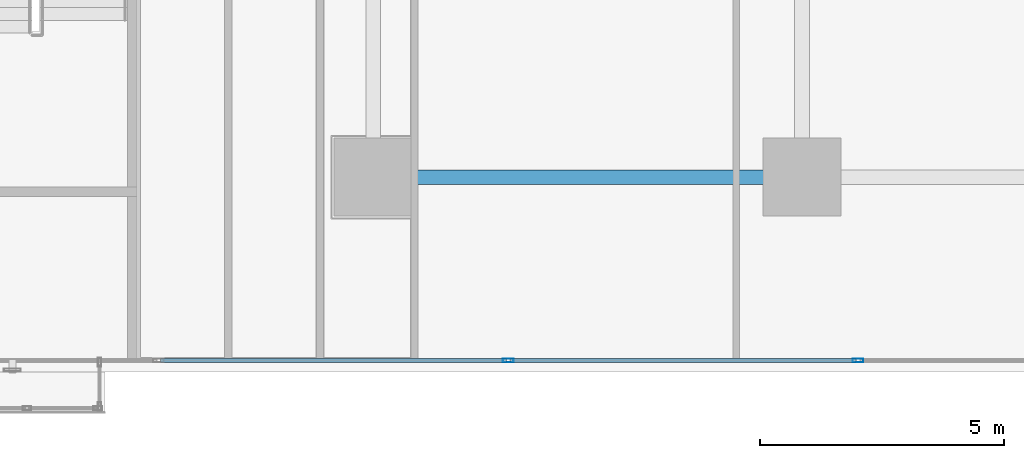
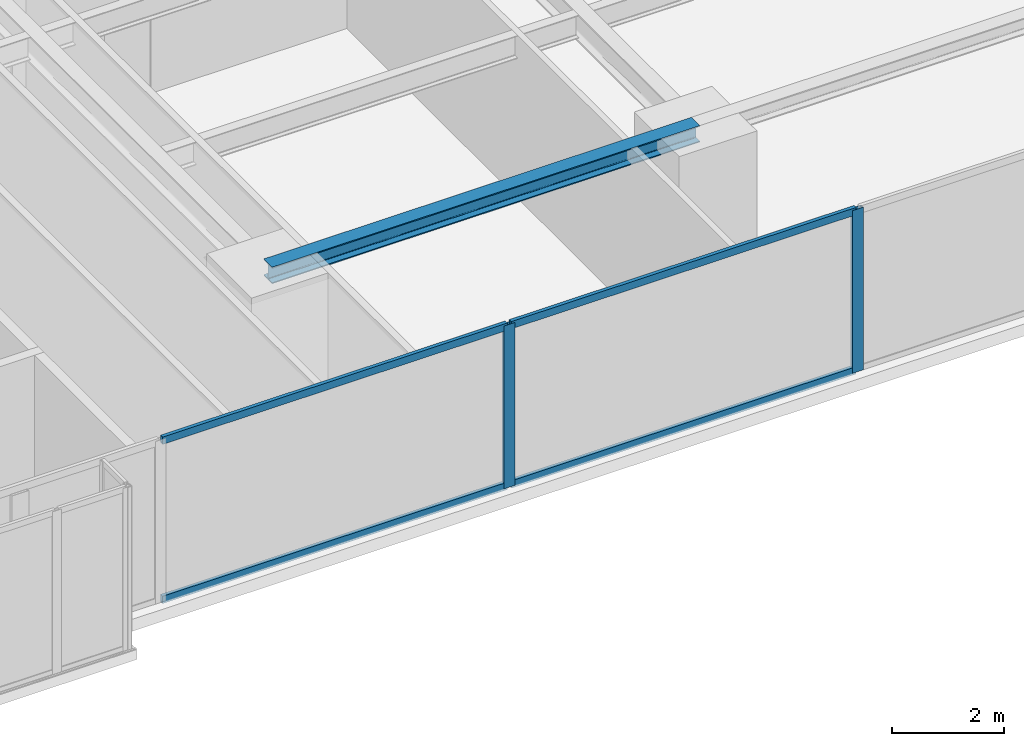
# One storey, part 9 of 27: 6 members, 1 beam, 1 element without a shape of its own.
"""IFC4 building model written with IfcOpenShell, lengths in metres."""

from ifc_helpers import new_model, si_unit, direction, frame, origin, origin_with_axes, origin_2d, place, context, subcontext, project, spatial, hollow_rectangle, i_section, extrude, source, transform, mapped, material, layer, layer_set, material_profile, profile_set, type_object, element, aggregate, save


model = new_model("IFC4")

# Units and contexts
model_context = context("Model", 3, precision=1e-05, world=origin(), true_north=direction((0.0, 1.0)))
body_context = subcontext(model_context, "Body", "Model", "MODEL_VIEW")
ifc_project = project(units=[si_unit("LENGTHUNIT", "METRE"), si_unit("AREAUNIT", "SQUARE_METRE"), si_unit("VOLUMEUNIT", "CUBIC_METRE"), si_unit("PLANEANGLEUNIT", "RADIAN"), si_unit("MASSUNIT", "GRAM", prefix="KILO")], contexts=[model_context])

# Site, building, storey
site_placement = place(None, origin())
site = spatial("IfcSite", under=ifc_project, at=site_placement, CompositionType="ELEMENT")
building_placement = place(site_placement, origin())
building = spatial("IfcBuilding", under=site, at=building_placement, Name="Kolvaren Waterfront Exchange", CompositionType="ELEMENT")
storey_placement = place(building_placement, frame((0.0, 0.0, 33.39990234375)))
storey = spatial("IfcBuildingStorey", under=building, at=storey_placement, Name="L08", CompositionType="ELEMENT", Elevation=33.39990234375)

# Beam
ifc_material_1 = material(Name="Steel S355", Category="steel")
ifc_material_profile_1 = material_profile(ifc_material_1, i_section(OverallWidth=0.300048828125, OverallDepth=0.360107421875, WebThickness=0.012451171875, FlangeThickness=0.0224609375, FilletRadius=0.027099609375, at=origin_2d()), Name="HEB360")
ifc_profile_set_1 = profile_set([ifc_material_profile_1], Name="Steel S355")
beam_type = type_object("IfcBeamType", Name="STR-BM-HEB360", PredefinedType="SPANDREL", material=ifc_profile_set_1)
beam_placement = place(storey_placement, frame((36.800048828125, 5.199951171875, 3.360107421875), z_axis=(1.0, 0.0, 0.0), x_axis=(0.0, 1.0, 0.0)))
element("IfcBeam", 1, at=beam_placement, inside=storey, type_object=beam_type, Name="L08 east-arm spandrel S3", PredefinedType="SPANDREL", context=body_context, shape_type="SweptSolid", body=[
    extrude(i_section(OverallWidth=0.300048828125, OverallDepth=0.360107421875, WebThickness=0.012451171875, FlangeThickness=0.0224609375, FilletRadius=0.027099609375, at=origin_2d()), origin(), (0.0, 0.0, 1.0), 8.800048828125),
])

# Curtain wall, members
ifc_material_2 = material(Name="Anodised bronze aluminium 6063-T6", Category="aluminium")
ifc_layer = layer(ifc_material_2, 0.219970703125, Name="Anodised bronze aluminium 6063-T6")
ifc_layer_set = layer_set([ifc_layer], Name="Anodised bronze aluminium 6063-T6")
curtain_wall_type = type_object("IfcCurtainWallType", Name="ARC-CW-SYS1", PredefinedType="USERDEFINED", material=ifc_layer_set)
curtain_wall_placement = place(storey_placement, origin())
curtain_wall = element("IfcCurtainWall", 2, at=curtain_wall_placement, inside=storey, type_object=curtain_wall_type, Name="L08 stick curtain wall CW1 (CW-L08-S)", ObjectType="STICK CURTAIN WALL", PredefinedType="USERDEFINED")
ifc_material_3 = material(Name="Anodised aluminium 6063-T6", Category="aluminium")
ifc_material_profile_2 = material_profile(ifc_material_3, hollow_rectangle(XDim=0.074951171875, YDim=0.159912109375, WallThickness=0.00439453125, at=origin_2d()), Name="ALU-TRN-160x75x4.5")
ifc_profile_set_2 = profile_set([ifc_material_profile_2], Name="Anodised aluminium 6063-T6")
member_type_1 = type_object("IfcMemberType", Name="ARC-CWT-160", PredefinedType="USERDEFINED", material=ifc_profile_set_2)
shared_shape_1 = source(origin_with_axes(), body_context, "Body", "SweptSolid", [
    extrude(hollow_rectangle(XDim=0.074951171875, YDim=0.159912109375, WallThickness=0.00439453125, at=origin_2d()), origin(), (0.0, 0.0, 1.0), 7.094970703125),
])
member_1_placement = place(storey_placement, frame((32.43994140625, 1.43994140625, 0.03759765625), z_axis=(1.0, 0.0, 0.0), x_axis=(0.0, 1.0, 0.0)))
member_1 = element("IfcMember", 3, at=member_1_placement, type_object=member_type_1, Name="CW1 transom 5.1", ObjectType="TRANSOM", PredefinedType="USERDEFINED", context=body_context, shape_type="MappedRepresentation", body=[
    mapped(shared_shape_1, transform((0.0, 0.0, 0.0), x_axis=(1.0, 0.0, 0.0), y_axis=(0.0, 1.0, 0.0), z_axis=(0.0, 0.0, 1.0), scale=1.0)),
])
member_2_placement = place(storey_placement, frame((32.43994140625, 1.43994140625, 3.502685546875), z_axis=(1.0, 0.0, 0.0), x_axis=(0.0, 1.0, 0.0)))
member_2 = element("IfcMember", 4, at=member_2_placement, type_object=member_type_1, Name="CW1 transom 5.2", ObjectType="TRANSOM", PredefinedType="USERDEFINED", context=body_context, shape_type="MappedRepresentation", body=[
    mapped(shared_shape_1, transform((0.0, 0.0, 0.0), x_axis=(1.0, 0.0, 0.0), y_axis=(0.0, 1.0, 0.0), z_axis=(0.0, 0.0, 1.0), scale=1.0)),
])
member_3_placement = place(storey_placement, frame((39.614990234375, 1.43994140625, 0.03759765625), z_axis=(1.0, 0.0, 0.0), x_axis=(0.0, 1.0, 0.0)))
member_3 = element("IfcMember", 5, at=member_3_placement, type_object=member_type_1, Name="CW1 transom 6.1", ObjectType="TRANSOM", PredefinedType="USERDEFINED", context=body_context, shape_type="MappedRepresentation", body=[
    mapped(shared_shape_1, transform((0.0, 0.0, 0.0), x_axis=(1.0, 0.0, 0.0), y_axis=(0.0, 1.0, 0.0), z_axis=(0.0, 0.0, 1.0), scale=1.0)),
])
member_4_placement = place(storey_placement, frame((39.614990234375, 1.43994140625, 3.502685546875), z_axis=(1.0, 0.0, 0.0), x_axis=(0.0, 1.0, 0.0)))
member_4 = element("IfcMember", 6, at=member_4_placement, type_object=member_type_1, Name="CW1 transom 6.2", ObjectType="TRANSOM", PredefinedType="USERDEFINED", context=body_context, shape_type="MappedRepresentation", body=[
    mapped(shared_shape_1, transform((0.0, 0.0, 0.0), x_axis=(1.0, 0.0, 0.0), y_axis=(0.0, 1.0, 0.0), z_axis=(0.0, 0.0, 1.0), scale=1.0)),
])
ifc_material_profile_3 = material_profile(ifc_material_3, hollow_rectangle(XDim=0.080078125, YDim=0.219970703125, WallThickness=0.0048828125, at=origin_2d()), Name="ALU-MUL-220x80x5")
ifc_profile_set_3 = profile_set([ifc_material_profile_3], Name="Anodised aluminium 6063-T6")
member_type_2 = type_object("IfcMemberType", Name="ARC-CWM-220", PredefinedType="MULLION", material=ifc_profile_set_3)
shared_shape_2 = source(origin_with_axes(), body_context, "Body", "SweptSolid", [
    extrude(hollow_rectangle(XDim=0.080078125, YDim=0.219970703125, WallThickness=0.0048828125, at=origin_2d()), origin(), (0.0, 0.0, 1.0), 3.5400390625),
])
member_5_placement = place(storey_placement, frame((39.574951171875, 1.43994140625, 0.0), z_axis=(0.0, 0.0, 1.0), x_axis=(0.0, 1.0, 0.0)))
member_5 = element("IfcMember", 7, at=member_5_placement, type_object=member_type_2, Name="CW1 mullion 6", PredefinedType="MULLION", context=body_context, shape_type="MappedRepresentation", body=[
    mapped(shared_shape_2, transform((0.0, 0.0, 0.0), x_axis=(1.0, 0.0, 0.0), y_axis=(0.0, 1.0, 0.0), z_axis=(0.0, 0.0, 1.0), scale=1.0)),
])
member_6_placement = place(storey_placement, frame((46.75, 1.43994140625, 0.0), z_axis=(0.0, 0.0, 1.0), x_axis=(0.0, 1.0, 0.0)))
member_6 = element("IfcMember", 8, at=member_6_placement, type_object=member_type_2, Name="CW1 mullion 7", PredefinedType="MULLION", context=body_context, shape_type="MappedRepresentation", body=[
    mapped(shared_shape_2, transform((0.0, 0.0, 0.0), x_axis=(1.0, 0.0, 0.0), y_axis=(0.0, 1.0, 0.0), z_axis=(0.0, 0.0, 1.0), scale=1.0)),
])
aggregate(curtain_wall, [member_5, member_6, member_1, member_2, member_3, member_4])

save(model, "model.ifc")
